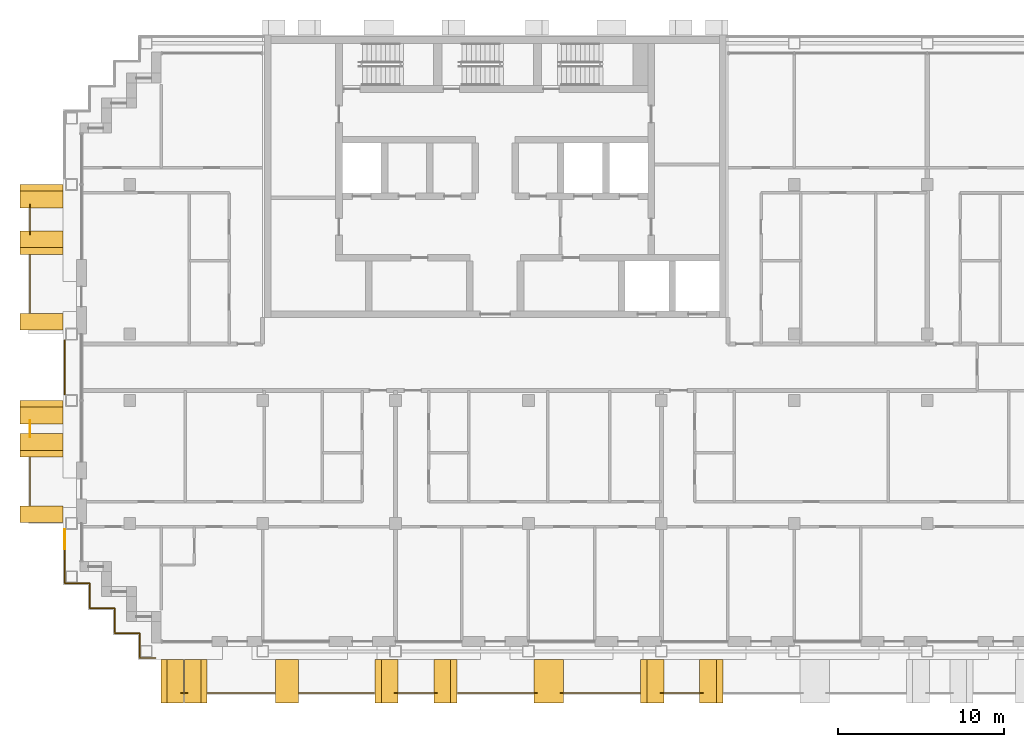
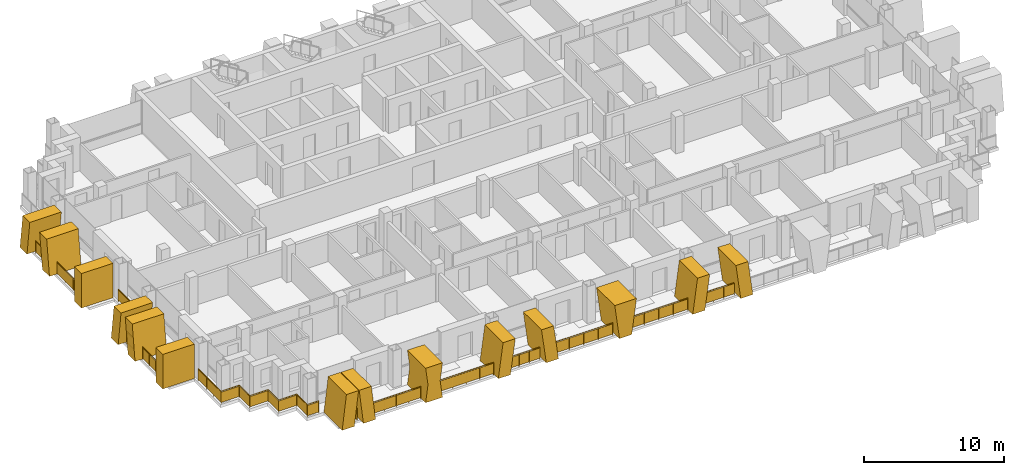
# One storey, part 13 of 16: 14 railings, 14 shading devices.
"""IFC4 building model written with IfcOpenShell, lengths in metres."""

from ifc_helpers import new_model, si_unit, direction, frame, origin, origin_2d, place, context, subcontext, project, spatial, polyline, rectangle, circle, outline, extrude, material, layer, layer_set, type_object, element, save


model = new_model("IFC4")

# Units and contexts
model_context = context("Model", 3, precision=1e-05, world=origin(), true_north=direction((0.0, 1.0)))
body_context = subcontext(model_context, "Body", "Model", "MODEL_VIEW")
ifc_project = project(units=[si_unit("LENGTHUNIT", "METRE"), si_unit("AREAUNIT", "SQUARE_METRE"), si_unit("VOLUMEUNIT", "CUBIC_METRE"), si_unit("PLANEANGLEUNIT", "RADIAN"), si_unit("MASSUNIT", "GRAM", prefix="KILO")], contexts=[model_context])

# Site, building, storey
site_placement = place(None, origin())
site = spatial("IfcSite", under=ifc_project, at=site_placement, CompositionType="ELEMENT")
building_placement = place(site_placement, origin())
building = spatial("IfcBuilding", under=site, at=building_placement, Name="Vidyagriha Tower", CompositionType="ELEMENT")
storey_placement = place(building_placement, frame((0.0, 0.0, 165.300048828125)))
storey = spatial("IfcBuildingStorey", under=building, at=storey_placement, Name="L42", CompositionType="ELEMENT", Elevation=165.300048828125)

# Railings
ifc_material_1 = material(Name="Steel ASTM A500 Grade C black painted", Category="steel")
railing_type_1 = type_object("IfcRailingType", Name="Balcony guard 1100", PredefinedType="BALUSTRADE", material=ifc_material_1)
railing_1_placement = place(storey_placement, frame((-28.0, 9.796630859375, 0.0)))
element("IfcRailing", 1, at=railing_1_placement, inside=storey, type_object=railing_type_1, Name="Balcony guard L42 R16.1-1", PredefinedType="BALUSTRADE", context=body_context, shape_type="SweptSolid", body=[
    extrude(circle(Radius=0.02490234375, at=origin_2d()), frame((0.0, 0.0, 1.0751953125), z_axis=(0.0, -1.0, 0.0), x_axis=(1.0, 0.0, 0.0)), (0.0, 0.0, 1.0), 1.793212890625),
    extrude(circle(Radius=0.02001953125, at=origin_2d()), origin(), (0.0, 0.0, 1.0), 1.050048828125),
    extrude(circle(Radius=0.02001953125, at=origin_2d()), frame((0.0, -0.896484375, 0.0)), (0.0, 0.0, 1.0), 1.050048828125),
    extrude(circle(Radius=0.02001953125, at=origin_2d()), frame((0.0, -1.793212890625, 0.0)), (0.0, 0.0, 1.0), 1.050048828125),
    extrude(rectangle(XDim=0.010009765625, YDim=0.900146484375, at=origin_2d()), frame((0.0, 0.0, 0.550048828125), z_axis=(0.0, -1.0, 0.0), x_axis=(1.0, 0.0, 0.0)), (0.0, 0.0, 1.0), 1.793212890625),
])
railing_2_placement = place(storey_placement, frame((-28.0, 6.75, 0.0)))
element("IfcRailing", 2, at=railing_2_placement, inside=storey, type_object=railing_type_1, Name="Balcony guard L42 R16.1-2", PredefinedType="BALUSTRADE", context=body_context, shape_type="SweptSolid", body=[
    extrude(circle(Radius=0.02490234375, at=origin_2d()), frame((0.0, 0.0, 1.0751953125), z_axis=(0.0, -1.0, 0.0), x_axis=(1.0, 0.0, 0.0)), (0.0, 0.0, 1.0), 3.449951171875),
    extrude(circle(Radius=0.02001953125, at=origin_2d()), origin(), (0.0, 0.0, 1.0), 1.050048828125),
    extrude(circle(Radius=0.02001953125, at=origin_2d()), frame((0.0, -1.14990234375, 0.0)), (0.0, 0.0, 1.0), 1.050048828125),
    extrude(circle(Radius=0.02001953125, at=origin_2d()), frame((0.0, -2.300048828125, 0.0)), (0.0, 0.0, 1.0), 1.050048828125),
    extrude(circle(Radius=0.02001953125, at=origin_2d()), frame((0.0, -3.449951171875, 0.0)), (0.0, 0.0, 1.0), 1.050048828125),
    extrude(rectangle(XDim=0.010009765625, YDim=0.900146484375, at=origin_2d()), frame((0.0, 0.0, 0.550048828125), z_axis=(0.0, -1.0, 0.0), x_axis=(1.0, 0.0, 0.0)), (0.0, 0.0, 1.0), 3.449951171875),
])
railing_3_placement = place(storey_placement, frame((-28.0, -3.203369140625, 0.0)))
element("IfcRailing", 3, at=railing_3_placement, inside=storey, type_object=railing_type_1, Name="Balcony guard L42 R16.2-1", PredefinedType="BALUSTRADE", context=body_context, shape_type="SweptSolid", body=[
    extrude(circle(Radius=0.02490234375, at=origin_2d()), frame((0.0, 0.0, 1.0751953125), z_axis=(0.0, -1.0, 0.0), x_axis=(1.0, 0.0, 0.0)), (0.0, 0.0, 1.0), 0.993408203125),
    extrude(circle(Radius=0.02001953125, at=origin_2d()), origin(), (0.0, 0.0, 1.0), 1.050048828125),
    extrude(circle(Radius=0.02001953125, at=origin_2d()), frame((0.0, -0.993408203125, 0.0)), (0.0, 0.0, 1.0), 1.050048828125),
    extrude(rectangle(XDim=0.010009765625, YDim=0.900146484375, at=origin_2d()), frame((0.0, 0.0, 0.550048828125), z_axis=(0.0, -1.0, 0.0), x_axis=(1.0, 0.0, 0.0)), (0.0, 0.0, 1.0), 0.993408203125),
])
railing_4_placement = place(storey_placement, frame((-28.0, -5.449951171875, 0.0)))
element("IfcRailing", 4, at=railing_4_placement, inside=storey, type_object=railing_type_1, Name="Balcony guard L42 R16.2-2", PredefinedType="BALUSTRADE", context=body_context, shape_type="SweptSolid", body=[
    extrude(circle(Radius=0.02490234375, at=origin_2d()), frame((0.0, 0.0, 1.0751953125), z_axis=(0.0, -1.0, 0.0), x_axis=(1.0, 0.0, 0.0)), (0.0, 0.0, 1.0), 2.85009765625),
    extrude(circle(Radius=0.02001953125, at=origin_2d()), origin(), (0.0, 0.0, 1.0), 1.050048828125),
    extrude(circle(Radius=0.02001953125, at=origin_2d()), frame((0.0, -0.949951171875, 0.0)), (0.0, 0.0, 1.0), 1.050048828125),
    extrude(circle(Radius=0.02001953125, at=origin_2d()), frame((0.0, -1.900146484375, 0.0)), (0.0, 0.0, 1.0), 1.050048828125),
    extrude(circle(Radius=0.02001953125, at=origin_2d()), frame((0.0, -2.85009765625, 0.0)), (0.0, 0.0, 1.0), 1.050048828125),
    extrude(rectangle(XDim=0.010009765625, YDim=0.900146484375, at=origin_2d()), frame((0.0, 0.0, 0.550048828125), z_axis=(0.0, -1.0, 0.0), x_axis=(1.0, 0.0, 0.0)), (0.0, 0.0, 1.0), 2.85009765625),
])
railing_5_placement = place(storey_placement, frame((-18.915771484375, -19.60009765625, 0.0)))
element("IfcRailing", 5, at=railing_5_placement, inside=storey, type_object=railing_type_1, Name="Balcony guard L42 R23.1-1", PredefinedType="BALUSTRADE", context=body_context, shape_type="SweptSolid", body=[
    extrude(circle(Radius=0.02490234375, at=origin_2d()), frame((0.0, 0.0, 1.0751953125), z_axis=(1.0, 0.0, 0.0), x_axis=(0.0, 1.0, 0.0)), (0.0, 0.0, 1.0), 0.381591796875),
    extrude(circle(Radius=0.02001953125, at=origin_2d()), origin(), (0.0, 0.0, 1.0), 1.050048828125),
    extrude(circle(Radius=0.02001953125, at=origin_2d()), frame((0.381591796875, 0.0, 0.0)), (0.0, 0.0, 1.0), 1.050048828125),
    extrude(rectangle(XDim=0.010009765625, YDim=0.900146484375, at=origin_2d()), frame((0.0, 0.0, 0.550048828125), z_axis=(1.0, 0.0, 0.0), x_axis=(0.0, 1.0, 0.0)), (0.0, 0.0, 1.0), 0.381591796875),
])
railing_6_placement = place(storey_placement, frame((-17.300048828125, -19.60009765625, 0.0)))
element("IfcRailing", 6, at=railing_6_placement, inside=storey, type_object=railing_type_1, Name="Balcony guard L42 R23.1-2", PredefinedType="BALUSTRADE", context=body_context, shape_type="SweptSolid", body=[
    extrude(circle(Radius=0.02490234375, at=origin_2d()), frame((0.0, 0.0, 1.0751953125), z_axis=(1.0, 0.0, 0.0), x_axis=(0.0, 1.0, 0.0)), (0.0, 0.0, 1.0), 4.01953125),
    extrude(circle(Radius=0.02001953125, at=origin_2d()), origin(), (0.0, 0.0, 1.0), 1.050048828125),
    extrude(circle(Radius=0.02001953125, at=origin_2d()), frame((1.0048828125, 0.0, 0.0)), (0.0, 0.0, 1.0), 1.050048828125),
    extrude(circle(Radius=0.02001953125, at=origin_2d()), frame((2.009765625, 0.0, 0.0)), (0.0, 0.0, 1.0), 1.050048828125),
    extrude(circle(Radius=0.02001953125, at=origin_2d()), frame((3.0146484375, 0.0, 0.0)), (0.0, 0.0, 1.0), 1.050048828125),
    extrude(circle(Radius=0.02001953125, at=origin_2d()), frame((4.01953125, 0.0, 0.0)), (0.0, 0.0, 1.0), 1.050048828125),
    extrude(rectangle(XDim=0.010009765625, YDim=0.900146484375, at=origin_2d()), frame((0.0, 0.0, 0.550048828125), z_axis=(1.0, 0.0, 0.0), x_axis=(0.0, 1.0, 0.0)), (0.0, 0.0, 1.0), 4.01953125),
])
railing_7_placement = place(storey_placement, frame((-11.79443359375, -19.60009765625, 0.0)))
element("IfcRailing", 7, at=railing_7_placement, inside=storey, type_object=railing_type_1, Name="Balcony guard L42 R23.1-3", PredefinedType="BALUSTRADE", context=body_context, shape_type="SweptSolid", body=[
    extrude(circle(Radius=0.02490234375, at=origin_2d()), frame((0.0, 0.0, 1.0751953125), z_axis=(1.0, 0.0, 0.0), x_axis=(0.0, 1.0, 0.0)), (0.0, 0.0, 1.0), 4.494384765625),
    extrude(circle(Radius=0.02001953125, at=origin_2d()), origin(), (0.0, 0.0, 1.0), 1.050048828125),
    extrude(circle(Radius=0.02001953125, at=origin_2d()), frame((1.12353515625, 0.0, 0.0)), (0.0, 0.0, 1.0), 1.050048828125),
    extrude(circle(Radius=0.02001953125, at=origin_2d()), frame((2.2470703125, 0.0, 0.0)), (0.0, 0.0, 1.0), 1.050048828125),
    extrude(circle(Radius=0.02001953125, at=origin_2d()), frame((3.370849609375, 0.0, 0.0)), (0.0, 0.0, 1.0), 1.050048828125),
    extrude(circle(Radius=0.02001953125, at=origin_2d()), frame((4.494384765625, 0.0, 0.0)), (0.0, 0.0, 1.0), 1.050048828125),
    extrude(rectangle(XDim=0.010009765625, YDim=0.900146484375, at=origin_2d()), frame((0.0, 0.0, 0.550048828125), z_axis=(1.0, 0.0, 0.0), x_axis=(0.0, 1.0, 0.0)), (0.0, 0.0, 1.0), 4.494384765625),
])
railing_8_placement = place(storey_placement, frame((-6.048583984375, -19.60009765625, 0.0)))
element("IfcRailing", 8, at=railing_8_placement, inside=storey, type_object=railing_type_1, Name="Balcony guard L42 R23.1-4", PredefinedType="BALUSTRADE", context=body_context, shape_type="SweptSolid", body=[
    extrude(circle(Radius=0.02490234375, at=origin_2d()), frame((0.0, 0.0, 1.0751953125), z_axis=(1.0, 0.0, 0.0), x_axis=(0.0, 1.0, 0.0)), (0.0, 0.0, 1.0), 2.547119140625),
    extrude(circle(Radius=0.02001953125, at=origin_2d()), origin(), (0.0, 0.0, 1.0), 1.050048828125),
    extrude(circle(Radius=0.02001953125, at=origin_2d()), frame((0.84912109375, 0.0, 0.0)), (0.0, 0.0, 1.0), 1.050048828125),
    extrude(circle(Radius=0.02001953125, at=origin_2d()), frame((1.697998046875, 0.0, 0.0)), (0.0, 0.0, 1.0), 1.050048828125),
    extrude(circle(Radius=0.02001953125, at=origin_2d()), frame((2.547119140625, 0.0, 0.0)), (0.0, 0.0, 1.0), 1.050048828125),
    extrude(rectangle(XDim=0.010009765625, YDim=0.900146484375, at=origin_2d()), frame((0.0, 0.0, 0.550048828125), z_axis=(1.0, 0.0, 0.0), x_axis=(0.0, 1.0, 0.0)), (0.0, 0.0, 1.0), 2.547119140625),
])
railing_9_placement = place(storey_placement, frame((-2.25, -19.60009765625, 0.0)))
element("IfcRailing", 9, at=railing_9_placement, inside=storey, type_object=railing_type_1, Name="Balcony guard L42 R23.1-5", PredefinedType="BALUSTRADE", context=body_context, shape_type="SweptSolid", body=[
    extrude(circle(Radius=0.02490234375, at=origin_2d()), frame((0.0, 0.0, 1.0751953125), z_axis=(1.0, 0.0, 0.0), x_axis=(0.0, 1.0, 0.0)), (0.0, 0.0, 1.0), 4.773681640625),
    extrude(circle(Radius=0.02001953125, at=origin_2d()), origin(), (0.0, 0.0, 1.0), 1.050048828125),
    extrude(circle(Radius=0.02001953125, at=origin_2d()), frame((1.193359375, 0.0, 0.0)), (0.0, 0.0, 1.0), 1.050048828125),
    extrude(circle(Radius=0.02001953125, at=origin_2d()), frame((2.38671875, 0.0, 0.0)), (0.0, 0.0, 1.0), 1.050048828125),
    extrude(circle(Radius=0.02001953125, at=origin_2d()), frame((3.580322265625, 0.0, 0.0)), (0.0, 0.0, 1.0), 1.050048828125),
    extrude(circle(Radius=0.02001953125, at=origin_2d()), frame((4.773681640625, 0.0, 0.0)), (0.0, 0.0, 1.0), 1.050048828125),
    extrude(rectangle(XDim=0.010009765625, YDim=0.900146484375, at=origin_2d()), frame((0.0, 0.0, 0.550048828125), z_axis=(1.0, 0.0, 0.0), x_axis=(0.0, 1.0, 0.0)), (0.0, 0.0, 1.0), 4.773681640625),
])
railing_10_placement = place(storey_placement, frame((3.926513671875, -19.60009765625, 0.0)))
element("IfcRailing", 10, at=railing_10_placement, inside=storey, type_object=railing_type_1, Name="Balcony guard L42 R23.1-6", PredefinedType="BALUSTRADE", context=body_context, shape_type="SweptSolid", body=[
    extrude(circle(Radius=0.02490234375, at=origin_2d()), frame((0.0, 0.0, 1.0751953125), z_axis=(1.0, 0.0, 0.0), x_axis=(0.0, 1.0, 0.0)), (0.0, 0.0, 1.0), 4.7734375),
    extrude(circle(Radius=0.02001953125, at=origin_2d()), origin(), (0.0, 0.0, 1.0), 1.050048828125),
    extrude(circle(Radius=0.02001953125, at=origin_2d()), frame((1.193359375, 0.0, 0.0)), (0.0, 0.0, 1.0), 1.050048828125),
    extrude(circle(Radius=0.02001953125, at=origin_2d()), frame((2.38671875, 0.0, 0.0)), (0.0, 0.0, 1.0), 1.050048828125),
    extrude(circle(Radius=0.02001953125, at=origin_2d()), frame((3.580078125, 0.0, 0.0)), (0.0, 0.0, 1.0), 1.050048828125),
    extrude(circle(Radius=0.02001953125, at=origin_2d()), frame((4.7734375, 0.0, 0.0)), (0.0, 0.0, 1.0), 1.050048828125),
    extrude(rectangle(XDim=0.010009765625, YDim=0.900146484375, at=origin_2d()), frame((0.0, 0.0, 0.550048828125), z_axis=(1.0, 0.0, 0.0), x_axis=(0.0, 1.0, 0.0)), (0.0, 0.0, 1.0), 4.7734375),
])
railing_11_placement = place(storey_placement, frame((9.951416015625, -19.60009765625, 0.0)))
element("IfcRailing", 11, at=railing_11_placement, inside=storey, type_object=railing_type_1, Name="Balcony guard L42 R23.1-7", PredefinedType="BALUSTRADE", context=body_context, shape_type="SweptSolid", body=[
    extrude(circle(Radius=0.02490234375, at=origin_2d()), frame((0.0, 0.0, 1.0751953125), z_axis=(1.0, 0.0, 0.0), x_axis=(0.0, 1.0, 0.0)), (0.0, 0.0, 1.0), 2.547119140625),
    extrude(circle(Radius=0.02001953125, at=origin_2d()), origin(), (0.0, 0.0, 1.0), 1.050048828125),
    extrude(circle(Radius=0.02001953125, at=origin_2d()), frame((0.84912109375, 0.0, 0.0)), (0.0, 0.0, 1.0), 1.050048828125),
    extrude(circle(Radius=0.02001953125, at=origin_2d()), frame((1.697998046875, 0.0, 0.0)), (0.0, 0.0, 1.0), 1.050048828125),
    extrude(circle(Radius=0.02001953125, at=origin_2d()), frame((2.547119140625, 0.0, 0.0)), (0.0, 0.0, 1.0), 1.050048828125),
    extrude(rectangle(XDim=0.010009765625, YDim=0.900146484375, at=origin_2d()), frame((0.0, 0.0, 0.550048828125), z_axis=(1.0, 0.0, 0.0), x_axis=(0.0, 1.0, 0.0)), (0.0, 0.0, 1.0), 2.547119140625),
])

# Shading devices
ifc_material_2 = material(Name="Precast concrete C40/50 with buff brick facing", Category="concrete")
ifc_layer_1 = layer(ifc_material_2, 1.0)
ifc_layer_set_1 = layer_set([ifc_layer_1], Name="Precast concrete C40/50 with buff brick facing")
shading_device_type_1 = type_object("IfcShadingDeviceType", Name="Brick-faced blade fin arm leaning 8 degrees", PredefinedType="USERDEFINED", material=ifc_layer_set_1)
shading_device_1_placement = place(storey_placement, frame((-27.300048828125, 11.0, 0.0), z_axis=(0.0, 0.0, 1.0), x_axis=(0.0, -1.0, 0.0)))
element("IfcShadingDevice", 12, at=shading_device_1_placement, inside=storey, type_object=shading_device_type_1, Name="Leaning blade fin L42 R16.310a", ObjectType="BLADE FIN", PredefinedType="USERDEFINED", context=body_context, shape_type="SweptSolid", body=[
    extrude(outline(polyline([(0.0, 0.0), (1.0, 0.0), (1.39990234375, 3.0), (0.39990234375, 3.0), (0.0, 0.0)])), frame((0.0, 1.300048828125, 0.0), z_axis=(0.0, -1.0, 0.0), x_axis=(1.0, 0.0, 0.0)), (0.0, 0.0, 1.0), 2.60009765625),
])
shading_device_2_placement = place(storey_placement, frame((-27.300048828125, 8.199951171875, 0.0), z_axis=(0.0, 0.0, 1.0), x_axis=(0.0, -1.0, 0.0)))
element("IfcShadingDevice", 13, at=shading_device_2_placement, inside=storey, type_object=shading_device_type_1, Name="Leaning blade fin L42 R16.310b", ObjectType="BLADE FIN", PredefinedType="USERDEFINED", context=body_context, shape_type="SweptSolid", body=[
    extrude(outline(polyline([(0.39990234375, 0.0), (1.39990234375, 0.0), (1.0, 3.0), (0.0, 3.0), (0.39990234375, 0.0)])), frame((0.0, 1.300048828125, 0.0), z_axis=(0.0, -1.0, 0.0), x_axis=(1.0, 0.0, 0.0)), (0.0, 0.0, 1.0), 2.60009765625),
])
shading_device_3_placement = place(storey_placement, frame((-27.300048828125, -2.0, 0.0), z_axis=(0.0, 0.0, 1.0), x_axis=(0.0, -1.0, 0.0)))
element("IfcShadingDevice", 14, at=shading_device_3_placement, inside=storey, type_object=shading_device_type_1, Name="Leaning blade fin L42 R16.1610a", ObjectType="BLADE FIN", PredefinedType="USERDEFINED", context=body_context, shape_type="SweptSolid", body=[
    extrude(outline(polyline([(0.0, 0.0), (1.0, 0.0), (1.39990234375, 3.0), (0.39990234375, 3.0), (0.0, 0.0)])), frame((0.0, 1.300048828125, 0.0), z_axis=(0.0, -1.0, 0.0), x_axis=(1.0, 0.0, 0.0)), (0.0, 0.0, 1.0), 2.60009765625),
])
shading_device_4_placement = place(storey_placement, frame((-27.300048828125, -4.0, 0.0), z_axis=(0.0, 0.0, 1.0), x_axis=(0.0, -1.0, 0.0)))
element("IfcShadingDevice", 15, at=shading_device_4_placement, inside=storey, type_object=shading_device_type_1, Name="Leaning blade fin L42 R16.1610b", ObjectType="BLADE FIN", PredefinedType="USERDEFINED", context=body_context, shape_type="SweptSolid", body=[
    extrude(outline(polyline([(0.39990234375, 0.0), (1.39990234375, 0.0), (1.0, 3.0), (0.0, 3.0), (0.39990234375, 0.0)])), frame((0.0, 1.300048828125, 0.0), z_axis=(0.0, -1.0, 0.0), x_axis=(1.0, 0.0, 0.0)), (0.0, 0.0, 1.0), 2.60009765625),
])
shading_device_5_placement = place(storey_placement, frame((-20.10009765625, -18.89990234375, 0.0)))
element("IfcShadingDevice", 16, at=shading_device_5_placement, inside=storey, type_object=shading_device_type_1, Name="Leaning blade fin L42 R23.0a", ObjectType="BLADE FIN", PredefinedType="USERDEFINED", context=body_context, shape_type="SweptSolid", body=[
    extrude(outline(polyline([(0.0, 0.0), (1.0, 0.0), (1.35009765625, 3.0), (0.35009765625, 3.0), (0.0, 0.0)])), frame((0.0, 1.300048828125, 0.0), z_axis=(0.0, -1.0, 0.0), x_axis=(1.0, 0.0, 0.0)), (0.0, 0.0, 1.0), 2.60009765625),
])
shading_device_6_placement = place(storey_placement, frame((-18.699951171875, -18.89990234375, 0.0)))
element("IfcShadingDevice", 17, at=shading_device_6_placement, inside=storey, type_object=shading_device_type_1, Name="Leaning blade fin L42 R23.0b", ObjectType="BLADE FIN", PredefinedType="USERDEFINED", context=body_context, shape_type="SweptSolid", body=[
    extrude(outline(polyline([(0.35009765625, 0.0), (1.35009765625, 0.0), (1.0, 3.0), (0.0, 3.0), (0.35009765625, 0.0)])), frame((0.0, 1.300048828125, 0.0), z_axis=(0.0, -1.0, 0.0), x_axis=(1.0, 0.0, 0.0)), (0.0, 0.0, 1.0), 2.60009765625),
])
shading_device_7_placement = place(storey_placement, frame((-7.25, -18.89990234375, 0.0)))
element("IfcShadingDevice", 18, at=shading_device_7_placement, inside=storey, type_object=shading_device_type_1, Name="Leaning blade fin L42 R23.1410a", ObjectType="BLADE FIN", PredefinedType="USERDEFINED", context=body_context, shape_type="SweptSolid", body=[
    extrude(outline(polyline([(0.0, 0.0), (1.0, 0.0), (1.39501953125, 3.0), (0.39501953125, 3.0), (0.0, 0.0)])), frame((0.0, 1.300048828125, 0.0), z_axis=(0.0, -1.0, 0.0), x_axis=(1.0, 0.0, 0.0)), (0.0, 0.0, 1.0), 2.60009765625),
])
shading_device_8_placement = place(storey_placement, frame((-3.695068359375, -18.89990234375, 0.0)))
element("IfcShadingDevice", 19, at=shading_device_8_placement, inside=storey, type_object=shading_device_type_1, Name="Leaning blade fin L42 R23.1410b", ObjectType="BLADE FIN", PredefinedType="USERDEFINED", context=body_context, shape_type="SweptSolid", body=[
    extrude(outline(polyline([(0.39501953125, 0.0), (1.39501953125, 0.0), (1.0, 3.0), (0.0, 3.0), (0.39501953125, 0.0)])), frame((0.0, 1.300048828125, 0.0), z_axis=(0.0, -1.0, 0.0), x_axis=(1.0, 0.0, 0.0)), (0.0, 0.0, 1.0), 2.60009765625),
])
shading_device_9_placement = place(storey_placement, frame((8.75, -18.89990234375, 0.0)))
element("IfcShadingDevice", 20, at=shading_device_9_placement, inside=storey, type_object=shading_device_type_1, Name="Leaning blade fin L42 R23.3010a", ObjectType="BLADE FIN", PredefinedType="USERDEFINED", context=body_context, shape_type="SweptSolid", body=[
    extrude(outline(polyline([(0.0, 0.0), (1.0, 0.0), (1.39501953125, 3.0), (0.39501953125, 3.0), (0.0, 0.0)])), frame((0.0, 1.300048828125, 0.0), z_axis=(0.0, -1.0, 0.0), x_axis=(1.0, 0.0, 0.0)), (0.0, 0.0, 1.0), 2.60009765625),
])
shading_device_10_placement = place(storey_placement, frame((12.304931640625, -18.89990234375, 0.0)))
element("IfcShadingDevice", 21, at=shading_device_10_placement, inside=storey, type_object=shading_device_type_1, Name="Leaning blade fin L42 R23.3010b", ObjectType="BLADE FIN", PredefinedType="USERDEFINED", context=body_context, shape_type="SweptSolid", body=[
    extrude(outline(polyline([(0.39501953125, 0.0), (1.39501953125, 0.0), (1.0, 3.0), (0.0, 3.0), (0.39501953125, 0.0)])), frame((0.0, 1.300048828125, 0.0), z_axis=(0.0, -1.0, 0.0), x_axis=(1.0, 0.0, 0.0)), (0.0, 0.0, 1.0), 2.60009765625),
])
ifc_material_3 = material(Name="Precast concrete C40/50 with buff brick facing", Category="concrete")
ifc_layer_2 = layer(ifc_material_3, 1.0)
ifc_layer_set_2 = layer_set([ifc_layer_2], Name="Precast concrete C40/50 with buff brick facing")
shading_device_type_2 = type_object("IfcShadingDeviceType", Name="Brick-faced blade fin forking 8 degrees", PredefinedType="USERDEFINED", material=ifc_layer_set_2)
shading_device_11_placement = place(storey_placement, frame((-13.230712890625, -18.89990234375, 0.0)))
element("IfcShadingDevice", 22, at=shading_device_11_placement, inside=storey, type_object=shading_device_type_2, Name="Forked blade fin L42 R23.610a", ObjectType="BLADE FIN", PredefinedType="USERDEFINED", context=body_context, shape_type="SweptSolid", body=[
    extrude(outline(polyline([(0.0, 0.0), (1.38623046875, 0.0), (1.193115234375, 1.5), (1.38623046875, 3.0), (0.0, 3.0), (0.193115234375, 1.5), (0.0, 0.0)])), frame((0.0, 1.300048828125, 0.0), z_axis=(0.0, -1.0, 0.0), x_axis=(1.0, 0.0, 0.0)), (0.0, 0.0, 1.0), 2.60009765625),
])
shading_device_12_placement = place(storey_placement, frame((2.330078125, -18.89990234375, 0.0)))
element("IfcShadingDevice", 23, at=shading_device_12_placement, inside=storey, type_object=shading_device_type_2, Name="Forked blade fin L42 R23.2210a", ObjectType="BLADE FIN", PredefinedType="USERDEFINED", context=body_context, shape_type="SweptSolid", body=[
    extrude(outline(polyline([(0.39501953125, 0.0), (1.39501953125, 0.0), (1.7900390625, 3.0), (0.0, 3.0), (0.39501953125, 0.0)])), frame((0.0, 1.300048828125, 0.0), z_axis=(0.0, -1.0, 0.0), x_axis=(1.0, 0.0, 0.0)), (0.0, 0.0, 1.0), 2.60009765625),
])
ifc_material_4 = material(Name="Precast concrete C40/50 with buff brick facing", Category="concrete")
ifc_layer_3 = layer(ifc_material_4, 1.0)
ifc_layer_set_3 = layer_set([ifc_layer_3], Name="Precast concrete C40/50 with buff brick facing")
shading_device_type_3 = type_object("IfcShadingDeviceType", Name="Brick-faced blade fin stem 1000", PredefinedType="USERDEFINED", material=ifc_layer_set_3)
for number, where, z_axis, x_axis, name in (
    (24, (-27.300048828125, 3.25, 0.0), (0.0, 0.0, 1.0), (0.0, -1.0, 0.0), "Stem blade fin L42 R16.1210a"),
    (25, (-27.300048828125, -8.35009765625, 0.0), (0.0, 0.0, 1.0), (0.0, -1.0, 0.0), "Stem blade fin L42 R16.2350a"),
):
    element("IfcShadingDevice", number, at=place(storey_placement, frame(where, z_axis=z_axis, x_axis=x_axis)), inside=storey, type_object=shading_device_type_3, Name=name, ObjectType="BLADE FIN", PredefinedType="USERDEFINED", context=body_context, shape_type="SweptSolid", body=[
        extrude(outline(polyline([(0.0, 0.0), (1.0, 0.0), (1.0, 3.0), (0.0, 3.0), (0.0, 0.0)])), frame((0.0, 1.300048828125, 0.0), z_axis=(0.0, -1.0, 0.0), x_axis=(1.0, 0.0, 0.0)), (0.0, 0.0, 1.0), 2.60009765625),
    ])

# Railings
ifc_material_5 = material(Name="Steel ASTM A500 Grade C black painted", Category="steel")
railing_type_2 = type_object("IfcRailingType", Name="Gallery guard 1100", PredefinedType="GUARDRAIL", material=ifc_material_5)
railing_12_placement = place(storey_placement, frame((-20.4599609375, -17.5, 0.0)))
element("IfcRailing", 26, at=railing_12_placement, inside=storey, type_object=railing_type_2, Name="Gallery guard L42 1", PredefinedType="GUARDRAIL", context=body_context, shape_type="SweptSolid", body=[
    extrude(circle(Radius=0.02490234375, at=origin_2d()), frame((0.0, 0.0, 1.0751953125), z_axis=(-1.0, 0.0, 0.0), x_axis=(0.0, -1.0, 0.0)), (0.0, 0.0, 1.0), 0.93994140625),
    extrude(circle(Radius=0.02490234375, at=origin_2d()), frame((-0.93994140625, 0.0, 1.0751953125), z_axis=(0.0, 1.0, 0.0), x_axis=(-1.0, 0.0, 0.0)), (0.0, 0.0, 1.0), 1.5),
    extrude(circle(Radius=0.02490234375, at=origin_2d()), frame((-0.93994140625, 1.5, 1.0751953125), z_axis=(-1.0, 0.0, 0.0), x_axis=(0.0, -1.0, 0.0)), (0.0, 0.0, 1.0), 1.5),
    extrude(circle(Radius=0.02490234375, at=origin_2d()), frame((-2.43994140625, 1.5, 1.0751953125), z_axis=(0.0, 1.0, 0.0), x_axis=(-1.0, 0.0, 0.0)), (0.0, 0.0, 1.0), 1.5),
    extrude(circle(Radius=0.02490234375, at=origin_2d()), frame((-2.43994140625, 3.0, 1.0751953125), z_axis=(-1.0, 0.0, 0.0), x_axis=(0.0, -1.0, 0.0)), (0.0, 0.0, 1.0), 1.5),
    extrude(circle(Radius=0.02490234375, at=origin_2d()), frame((-3.93994140625, 3.0, 1.0751953125), z_axis=(0.0, 1.0, 0.0), x_axis=(-1.0, 0.0, 0.0)), (0.0, 0.0, 1.0), 1.5),
    extrude(circle(Radius=0.02490234375, at=origin_2d()), frame((-3.93994140625, 4.5, 1.0751953125), z_axis=(-1.0, 0.0, 0.0), x_axis=(0.0, -1.0, 0.0)), (0.0, 0.0, 1.0), 1.5),
    extrude(circle(Radius=0.02490234375, at=origin_2d()), frame((-5.43994140625, 4.5, 1.0751953125), z_axis=(0.0, 1.0, 0.0), x_axis=(-1.0, 0.0, 0.0)), (0.0, 0.0, 1.0), 2.06005859375),
    extrude(circle(Radius=0.02001953125, at=origin_2d()), origin(), (0.0, 0.0, 1.0), 1.050048828125),
    extrude(circle(Radius=0.02001953125, at=origin_2d()), frame((-0.93994140625, 0.0, 0.0)), (0.0, 0.0, 1.0), 1.050048828125),
    extrude(circle(Radius=0.02001953125, at=origin_2d()), frame((-0.93994140625, 1.5, 0.0)), (0.0, 0.0, 1.0), 1.050048828125),
    extrude(circle(Radius=0.02001953125, at=origin_2d()), frame((-2.43994140625, 1.5, 0.0)), (0.0, 0.0, 1.0), 1.050048828125),
    extrude(circle(Radius=0.02001953125, at=origin_2d()), frame((-2.43994140625, 3.0, 0.0)), (0.0, 0.0, 1.0), 1.050048828125),
    extrude(circle(Radius=0.02001953125, at=origin_2d()), frame((-3.93994140625, 3.0, 0.0)), (0.0, 0.0, 1.0), 1.050048828125),
    extrude(circle(Radius=0.02001953125, at=origin_2d()), frame((-3.93994140625, 4.5, 0.0)), (0.0, 0.0, 1.0), 1.050048828125),
    extrude(circle(Radius=0.02001953125, at=origin_2d()), frame((-5.43994140625, 4.5, 0.0)), (0.0, 0.0, 1.0), 1.050048828125),
    extrude(circle(Radius=0.02001953125, at=origin_2d()), frame((-5.43994140625, 5.530029296875, 0.0)), (0.0, 0.0, 1.0), 1.050048828125),
    extrude(circle(Radius=0.02001953125, at=origin_2d()), frame((-5.43994140625, 6.56005859375, 0.0)), (0.0, 0.0, 1.0), 1.050048828125),
    extrude(rectangle(XDim=0.010009765625, YDim=0.900146484375, at=origin_2d()), frame((0.0, 0.0, 0.550048828125), z_axis=(-1.0, 0.0, 0.0), x_axis=(0.0, -1.0, 0.0)), (0.0, 0.0, 1.0), 0.93994140625),
    extrude(rectangle(XDim=0.010009765625, YDim=0.900146484375, at=origin_2d()), frame((-0.93994140625, 0.0, 0.550048828125), z_axis=(0.0, 1.0, 0.0), x_axis=(-1.0, 0.0, 0.0)), (0.0, 0.0, 1.0), 1.5),
    extrude(rectangle(XDim=0.010009765625, YDim=0.900146484375, at=origin_2d()), frame((-0.93994140625, 1.5, 0.550048828125), z_axis=(-1.0, 0.0, 0.0), x_axis=(0.0, -1.0, 0.0)), (0.0, 0.0, 1.0), 1.5),
    extrude(rectangle(XDim=0.010009765625, YDim=0.900146484375, at=origin_2d()), frame((-2.43994140625, 1.5, 0.550048828125), z_axis=(0.0, 1.0, 0.0), x_axis=(-1.0, 0.0, 0.0)), (0.0, 0.0, 1.0), 1.5),
    extrude(rectangle(XDim=0.010009765625, YDim=0.900146484375, at=origin_2d()), frame((-2.43994140625, 3.0, 0.550048828125), z_axis=(-1.0, 0.0, 0.0), x_axis=(0.0, -1.0, 0.0)), (0.0, 0.0, 1.0), 1.5),
    extrude(rectangle(XDim=0.010009765625, YDim=0.900146484375, at=origin_2d()), frame((-3.93994140625, 3.0, 0.550048828125), z_axis=(0.0, 1.0, 0.0), x_axis=(-1.0, 0.0, 0.0)), (0.0, 0.0, 1.0), 1.5),
    extrude(rectangle(XDim=0.010009765625, YDim=0.900146484375, at=origin_2d()), frame((-3.93994140625, 4.5, 0.550048828125), z_axis=(-1.0, 0.0, 0.0), x_axis=(0.0, -1.0, 0.0)), (0.0, 0.0, 1.0), 1.5),
    extrude(rectangle(XDim=0.010009765625, YDim=0.900146484375, at=origin_2d()), frame((-5.43994140625, 4.5, 0.550048828125), z_axis=(0.0, 1.0, 0.0), x_axis=(-1.0, 0.0, 0.0)), (0.0, 0.0, 1.0), 2.06005859375),
])
railing_13_placement = place(storey_placement, frame((-25.89990234375, -10.93994140625, 0.0)))
element("IfcRailing", 27, at=railing_13_placement, inside=storey, type_object=railing_type_2, Name="Gallery guard L42 2", PredefinedType="GUARDRAIL", context=body_context, shape_type="SweptSolid", body=[
    extrude(circle(Radius=0.02490234375, at=origin_2d()), frame((0.0, 0.0, 1.0751953125), z_axis=(0.0, 1.0, 0.0), x_axis=(-1.0, 0.0, 0.0)), (0.0, 0.0, 1.0), 1.179931640625),
    extrude(circle(Radius=0.02001953125, at=origin_2d()), origin(), (0.0, 0.0, 1.0), 1.050048828125),
    extrude(circle(Radius=0.02001953125, at=origin_2d()), frame((0.0, 1.179931640625, 0.0)), (0.0, 0.0, 1.0), 1.050048828125),
    extrude(rectangle(XDim=0.010009765625, YDim=0.900146484375, at=origin_2d()), frame((0.0, 0.0, 0.550048828125), z_axis=(0.0, 1.0, 0.0), x_axis=(-1.0, 0.0, 0.0)), (0.0, 0.0, 1.0), 1.179931640625),
])
railing_14_placement = place(storey_placement, frame((-25.89990234375, -1.639892578125, 0.0)))
element("IfcRailing", 28, at=railing_14_placement, inside=storey, type_object=railing_type_2, Name="Gallery guard L42 3", PredefinedType="GUARDRAIL", context=body_context, shape_type="SweptSolid", body=[
    extrude(circle(Radius=0.02490234375, at=origin_2d()), frame((0.0, 0.0, 1.0751953125), z_axis=(0.0, 1.0, 0.0), x_axis=(-1.0, 0.0, 0.0)), (0.0, 0.0, 1.0), 3.27978515625),
    extrude(circle(Radius=0.02001953125, at=origin_2d()), origin(), (0.0, 0.0, 1.0), 1.050048828125),
    extrude(circle(Radius=0.02001953125, at=origin_2d()), frame((0.0, 1.09326171875, 0.0)), (0.0, 0.0, 1.0), 1.050048828125),
    extrude(circle(Radius=0.02001953125, at=origin_2d()), frame((0.0, 2.1865234375, 0.0)), (0.0, 0.0, 1.0), 1.050048828125),
    extrude(circle(Radius=0.02001953125, at=origin_2d()), frame((0.0, 3.27978515625, 0.0)), (0.0, 0.0, 1.0), 1.050048828125),
    extrude(rectangle(XDim=0.010009765625, YDim=0.900146484375, at=origin_2d()), frame((0.0, 0.0, 0.550048828125), z_axis=(0.0, 1.0, 0.0), x_axis=(-1.0, 0.0, 0.0)), (0.0, 0.0, 1.0), 3.27978515625),
])

save(model, "model.ifc")
